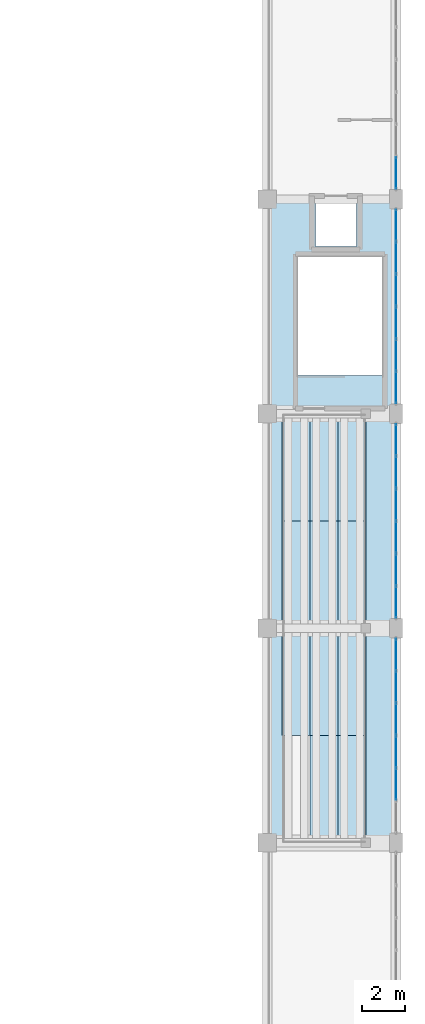
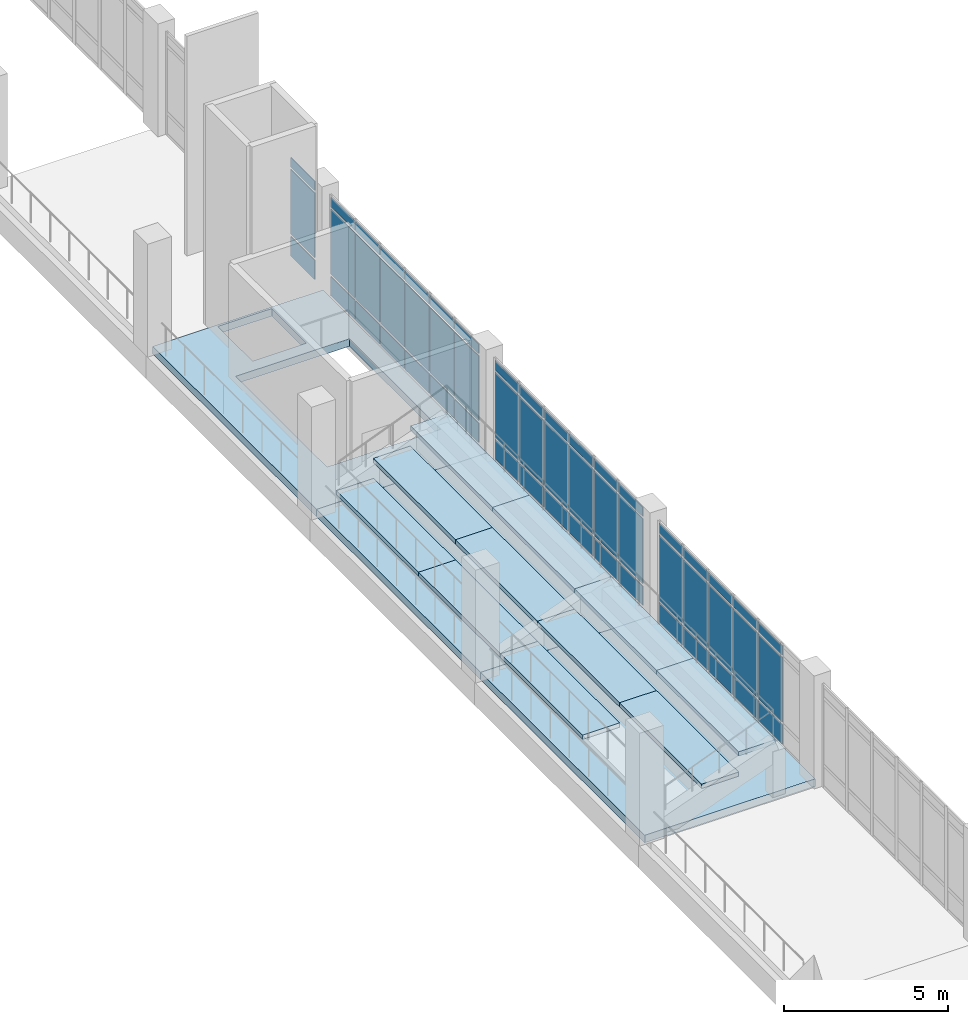
# One storey, part 138 of 161: 54 plates, 14 slabs, 4 elements without a shape of their own.
"""IFC4 building model written with IfcOpenShell, lengths in metres."""

from ifc_helpers import new_model, si_unit, direction, frame, origin, origin_2d, place, context, subcontext, project, spatial, polyline, rectangle, outline, extrude, material, layer, layer_set, type_object, element, aggregate, save


model = new_model("IFC4")

# Units and contexts
model_context = context("Model", 3, precision=1e-05, world=origin(), true_north=direction((0.0, 1.0)))
body_context = subcontext(model_context, "Body", "Model", "MODEL_VIEW")
ifc_project = project(units=[si_unit("LENGTHUNIT", "METRE"), si_unit("AREAUNIT", "SQUARE_METRE"), si_unit("VOLUMEUNIT", "CUBIC_METRE"), si_unit("PLANEANGLEUNIT", "RADIAN"), si_unit("MASSUNIT", "GRAM", prefix="KILO")], contexts=[model_context])

# Site, building, storey
site_placement = place(None, origin())
site = spatial("IfcSite", under=ifc_project, at=site_placement, CompositionType="ELEMENT")
building_placement = place(site_placement, origin())
building = spatial("IfcBuilding", under=site, at=building_placement, Name="Mersad Railyard Sports Hall", CompositionType="ELEMENT")
storey_placement = place(building_placement, frame((0.0, 0.0, 4.800048828125)))
storey = spatial("IfcBuildingStorey", under=building, at=storey_placement, Name="L01", CompositionType="ELEMENT", Elevation=4.800048828125)

# Curtain wall, plates
ifc_material_1 = material(Name="Aluminium 6063-T6", Category="aluminium")
ifc_layer_1 = layer(ifc_material_1, 0.159912109375)
ifc_layer_set_1 = layer_set([ifc_layer_1], Name="Aluminium 6063-T6")
curtain_wall_type = type_object("IfcCurtainWallType", Name="ARC-CW-CW14", PredefinedType="USERDEFINED", material=ifc_layer_set_1)
curtain_wall_1_placement = place(storey_placement, origin())
curtain_wall_1 = element("IfcCurtainWall", 1, at=curtain_wall_1_placement, inside=storey, type_object=curtain_wall_type, Name="Curtain wall CW14-0050", ObjectType="CURTAIN WALL", PredefinedType="USERDEFINED")
ifc_material_2 = material(Name="Solar-control glass", Category="glass")
ifc_layer_2 = layer(ifc_material_2, 0.028076171875)
ifc_layer_set_2 = layer_set([ifc_layer_2], Name="Solar-control glass")
plate_type = type_object("IfcPlateType", Name="ARC-CW-PNL01", PredefinedType="CURTAIN_PANEL", material=ifc_layer_set_2)
plate_1_placement = place(storey_placement, frame((179.0, 42.27490234375, 0.0849609375), z_axis=(0.0, 0.0, 1.0), x_axis=(0.0, -1.0, 0.0)))
plate_1 = element("IfcPlate", 2, at=plate_1_placement, type_object=plate_type, Name="CW14 Glazed panel 1-1", PredefinedType="CURTAIN_PANEL", context=body_context, shape_type="SweptSolid", body=[
    extrude(rectangle(XDim=1.466064453125, YDim=0.028076171875, at=origin_2d()), origin(), (0.0, 0.0, 1.0), 0.719970703125),
])
plate_2_placement = place(storey_placement, frame((179.0, 42.27490234375, 0.89501953125), z_axis=(0.0, 0.0, 1.0), x_axis=(0.0, -1.0, 0.0)))
plate_2 = element("IfcPlate", 3, at=plate_2_placement, type_object=plate_type, Name="CW14 Glazed panel 1-2", PredefinedType="CURTAIN_PANEL", context=body_context, shape_type="SweptSolid", body=[
    extrude(rectangle(XDim=1.466064453125, YDim=0.028076171875, at=origin_2d()), origin(), (0.0, 0.0, 1.0), 2.409912109375),
])
plate_3_placement = place(storey_placement, frame((179.0, 42.27490234375, 3.39501953125), z_axis=(0.0, 0.0, 1.0), x_axis=(0.0, -1.0, 0.0)))
plate_3 = element("IfcPlate", 4, at=plate_3_placement, type_object=plate_type, Name="CW14 Glazed panel 1-3", PredefinedType="CURTAIN_PANEL", context=body_context, shape_type="SweptSolid", body=[
    extrude(rectangle(XDim=1.466064453125, YDim=0.028076171875, at=origin_2d()), origin(), (0.0, 0.0, 1.0), 0.35009765625),
])
plate_4_placement = place(storey_placement, frame((179.0, 40.764892578125, 0.0849609375), z_axis=(0.0, 0.0, 1.0), x_axis=(0.0, -1.0, 0.0)))
plate_4 = element("IfcPlate", 5, at=plate_4_placement, type_object=plate_type, Name="CW14 Glazed panel 2-1", PredefinedType="CURTAIN_PANEL", context=body_context, shape_type="SweptSolid", body=[
    extrude(rectangle(XDim=1.466064453125, YDim=0.028076171875, at=origin_2d()), origin(), (0.0, 0.0, 1.0), 0.719970703125),
])
plate_5_placement = place(storey_placement, frame((179.0, 40.764892578125, 0.89501953125), z_axis=(0.0, 0.0, 1.0), x_axis=(0.0, -1.0, 0.0)))
plate_5 = element("IfcPlate", 6, at=plate_5_placement, type_object=plate_type, Name="CW14 Glazed panel 2-2", PredefinedType="CURTAIN_PANEL", context=body_context, shape_type="SweptSolid", body=[
    extrude(rectangle(XDim=1.466064453125, YDim=0.028076171875, at=origin_2d()), origin(), (0.0, 0.0, 1.0), 2.409912109375),
])
plate_6_placement = place(storey_placement, frame((179.0, 40.764892578125, 3.39501953125), z_axis=(0.0, 0.0, 1.0), x_axis=(0.0, -1.0, 0.0)))
plate_6 = element("IfcPlate", 7, at=plate_6_placement, type_object=plate_type, Name="CW14 Glazed panel 2-3", PredefinedType="CURTAIN_PANEL", context=body_context, shape_type="SweptSolid", body=[
    extrude(rectangle(XDim=1.466064453125, YDim=0.028076171875, at=origin_2d()), origin(), (0.0, 0.0, 1.0), 0.35009765625),
])
plate_7_placement = place(storey_placement, frame((179.0, 39.2548828125, 0.0849609375), z_axis=(0.0, 0.0, 1.0), x_axis=(0.0, -1.0, 0.0)))
plate_7 = element("IfcPlate", 8, at=plate_7_placement, type_object=plate_type, Name="CW14 Glazed panel 3-1", PredefinedType="CURTAIN_PANEL", context=body_context, shape_type="SweptSolid", body=[
    extrude(rectangle(XDim=1.466064453125, YDim=0.028076171875, at=origin_2d()), origin(), (0.0, 0.0, 1.0), 0.719970703125),
])
plate_8_placement = place(storey_placement, frame((179.0, 39.2548828125, 0.89501953125), z_axis=(0.0, 0.0, 1.0), x_axis=(0.0, -1.0, 0.0)))
plate_8 = element("IfcPlate", 9, at=plate_8_placement, type_object=plate_type, Name="CW14 Glazed panel 3-2", PredefinedType="CURTAIN_PANEL", context=body_context, shape_type="SweptSolid", body=[
    extrude(rectangle(XDim=1.466064453125, YDim=0.028076171875, at=origin_2d()), origin(), (0.0, 0.0, 1.0), 2.409912109375),
])
plate_9_placement = place(storey_placement, frame((179.0, 39.2548828125, 3.39501953125), z_axis=(0.0, 0.0, 1.0), x_axis=(0.0, -1.0, 0.0)))
plate_9 = element("IfcPlate", 10, at=plate_9_placement, type_object=plate_type, Name="CW14 Glazed panel 3-3", PredefinedType="CURTAIN_PANEL", context=body_context, shape_type="SweptSolid", body=[
    extrude(rectangle(XDim=1.466064453125, YDim=0.028076171875, at=origin_2d()), origin(), (0.0, 0.0, 1.0), 0.35009765625),
])
plate_10_placement = place(storey_placement, frame((179.0, 37.7451171875, 0.0849609375), z_axis=(0.0, 0.0, 1.0), x_axis=(0.0, -1.0, 0.0)))
plate_10 = element("IfcPlate", 11, at=plate_10_placement, type_object=plate_type, Name="CW14 Glazed panel 4-1", PredefinedType="CURTAIN_PANEL", context=body_context, shape_type="SweptSolid", body=[
    extrude(rectangle(XDim=1.466064453125, YDim=0.028076171875, at=origin_2d()), origin(), (0.0, 0.0, 1.0), 0.719970703125),
])
plate_11_placement = place(storey_placement, frame((179.0, 37.7451171875, 0.89501953125), z_axis=(0.0, 0.0, 1.0), x_axis=(0.0, -1.0, 0.0)))
plate_11 = element("IfcPlate", 12, at=plate_11_placement, type_object=plate_type, Name="CW14 Glazed panel 4-2", PredefinedType="CURTAIN_PANEL", context=body_context, shape_type="SweptSolid", body=[
    extrude(rectangle(XDim=1.466064453125, YDim=0.028076171875, at=origin_2d()), origin(), (0.0, 0.0, 1.0), 2.409912109375),
])
plate_12_placement = place(storey_placement, frame((179.0, 37.7451171875, 3.39501953125), z_axis=(0.0, 0.0, 1.0), x_axis=(0.0, -1.0, 0.0)))
plate_12 = element("IfcPlate", 13, at=plate_12_placement, type_object=plate_type, Name="CW14 Glazed panel 4-3", PredefinedType="CURTAIN_PANEL", context=body_context, shape_type="SweptSolid", body=[
    extrude(rectangle(XDim=1.466064453125, YDim=0.028076171875, at=origin_2d()), origin(), (0.0, 0.0, 1.0), 0.35009765625),
])
plate_13_placement = place(storey_placement, frame((179.0, 36.235107421875, 0.0849609375), z_axis=(0.0, 0.0, 1.0), x_axis=(0.0, -1.0, 0.0)))
plate_13 = element("IfcPlate", 14, at=plate_13_placement, type_object=plate_type, Name="CW14 Glazed panel 5-1", PredefinedType="CURTAIN_PANEL", context=body_context, shape_type="SweptSolid", body=[
    extrude(rectangle(XDim=1.466064453125, YDim=0.028076171875, at=origin_2d()), origin(), (0.0, 0.0, 1.0), 0.719970703125),
])
plate_14_placement = place(storey_placement, frame((179.0, 36.235107421875, 0.89501953125), z_axis=(0.0, 0.0, 1.0), x_axis=(0.0, -1.0, 0.0)))
plate_14 = element("IfcPlate", 15, at=plate_14_placement, type_object=plate_type, Name="CW14 Glazed panel 5-2", PredefinedType="CURTAIN_PANEL", context=body_context, shape_type="SweptSolid", body=[
    extrude(rectangle(XDim=1.466064453125, YDim=0.028076171875, at=origin_2d()), origin(), (0.0, 0.0, 1.0), 2.409912109375),
])
plate_15_placement = place(storey_placement, frame((179.0, 36.235107421875, 3.39501953125), z_axis=(0.0, 0.0, 1.0), x_axis=(0.0, -1.0, 0.0)))
plate_15 = element("IfcPlate", 16, at=plate_15_placement, type_object=plate_type, Name="CW14 Glazed panel 5-3", PredefinedType="CURTAIN_PANEL", context=body_context, shape_type="SweptSolid", body=[
    extrude(rectangle(XDim=1.466064453125, YDim=0.028076171875, at=origin_2d()), origin(), (0.0, 0.0, 1.0), 0.35009765625),
])
aggregate(curtain_wall_1, [plate_1, plate_2, plate_3, plate_4, plate_5, plate_6, plate_7, plate_8, plate_9, plate_10, plate_11, plate_12, plate_13, plate_14, plate_15])

curtain_wall_2_placement = place(storey_placement, origin())
curtain_wall_2 = element("IfcCurtainWall", 17, at=curtain_wall_2_placement, inside=storey, type_object=curtain_wall_type, Name="Curtain wall CW14-0052", ObjectType="CURTAIN WALL", PredefinedType="USERDEFINED")
plate_16_placement = place(storey_placement, frame((179.0, 52.27490234375, 0.0849609375), z_axis=(0.0, 0.0, 1.0), x_axis=(0.0, -1.0, 0.0)))
plate_16 = element("IfcPlate", 18, at=plate_16_placement, type_object=plate_type, Name="CW14 Glazed panel 1-1", PredefinedType="CURTAIN_PANEL", context=body_context, shape_type="SweptSolid", body=[
    extrude(rectangle(XDim=1.466064453125, YDim=0.028076171875, at=origin_2d()), origin(), (0.0, 0.0, 1.0), 0.719970703125),
])
plate_17_placement = place(storey_placement, frame((179.0, 52.27490234375, 0.89501953125), z_axis=(0.0, 0.0, 1.0), x_axis=(0.0, -1.0, 0.0)))
plate_17 = element("IfcPlate", 19, at=plate_17_placement, type_object=plate_type, Name="CW14 Glazed panel 1-2", PredefinedType="CURTAIN_PANEL", context=body_context, shape_type="SweptSolid", body=[
    extrude(rectangle(XDim=1.466064453125, YDim=0.028076171875, at=origin_2d()), origin(), (0.0, 0.0, 1.0), 2.409912109375),
])
plate_18_placement = place(storey_placement, frame((179.0, 52.27490234375, 3.39501953125), z_axis=(0.0, 0.0, 1.0), x_axis=(0.0, -1.0, 0.0)))
plate_18 = element("IfcPlate", 20, at=plate_18_placement, type_object=plate_type, Name="CW14 Glazed panel 1-3", PredefinedType="CURTAIN_PANEL", context=body_context, shape_type="SweptSolid", body=[
    extrude(rectangle(XDim=1.466064453125, YDim=0.028076171875, at=origin_2d()), origin(), (0.0, 0.0, 1.0), 0.35009765625),
])
plate_19_placement = place(storey_placement, frame((179.0, 50.764892578125, 0.0849609375), z_axis=(0.0, 0.0, 1.0), x_axis=(0.0, -1.0, 0.0)))
plate_19 = element("IfcPlate", 21, at=plate_19_placement, type_object=plate_type, Name="CW14 Glazed panel 2-1", PredefinedType="CURTAIN_PANEL", context=body_context, shape_type="SweptSolid", body=[
    extrude(rectangle(XDim=1.466064453125, YDim=0.028076171875, at=origin_2d()), origin(), (0.0, 0.0, 1.0), 0.719970703125),
])
plate_20_placement = place(storey_placement, frame((179.0, 50.764892578125, 0.89501953125), z_axis=(0.0, 0.0, 1.0), x_axis=(0.0, -1.0, 0.0)))
plate_20 = element("IfcPlate", 22, at=plate_20_placement, type_object=plate_type, Name="CW14 Glazed panel 2-2", PredefinedType="CURTAIN_PANEL", context=body_context, shape_type="SweptSolid", body=[
    extrude(rectangle(XDim=1.466064453125, YDim=0.028076171875, at=origin_2d()), origin(), (0.0, 0.0, 1.0), 2.409912109375),
])
plate_21_placement = place(storey_placement, frame((179.0, 50.764892578125, 3.39501953125), z_axis=(0.0, 0.0, 1.0), x_axis=(0.0, -1.0, 0.0)))
plate_21 = element("IfcPlate", 23, at=plate_21_placement, type_object=plate_type, Name="CW14 Glazed panel 2-3", PredefinedType="CURTAIN_PANEL", context=body_context, shape_type="SweptSolid", body=[
    extrude(rectangle(XDim=1.466064453125, YDim=0.028076171875, at=origin_2d()), origin(), (0.0, 0.0, 1.0), 0.35009765625),
])
plate_22_placement = place(storey_placement, frame((179.0, 49.2548828125, 0.0849609375), z_axis=(0.0, 0.0, 1.0), x_axis=(0.0, -1.0, 0.0)))
plate_22 = element("IfcPlate", 24, at=plate_22_placement, type_object=plate_type, Name="CW14 Glazed panel 3-1", PredefinedType="CURTAIN_PANEL", context=body_context, shape_type="SweptSolid", body=[
    extrude(rectangle(XDim=1.466064453125, YDim=0.028076171875, at=origin_2d()), origin(), (0.0, 0.0, 1.0), 0.719970703125),
])
plate_23_placement = place(storey_placement, frame((179.0, 49.2548828125, 0.89501953125), z_axis=(0.0, 0.0, 1.0), x_axis=(0.0, -1.0, 0.0)))
plate_23 = element("IfcPlate", 25, at=plate_23_placement, type_object=plate_type, Name="CW14 Glazed panel 3-2", PredefinedType="CURTAIN_PANEL", context=body_context, shape_type="SweptSolid", body=[
    extrude(rectangle(XDim=1.466064453125, YDim=0.028076171875, at=origin_2d()), origin(), (0.0, 0.0, 1.0), 2.409912109375),
])
plate_24_placement = place(storey_placement, frame((179.0, 49.2548828125, 3.39501953125), z_axis=(0.0, 0.0, 1.0), x_axis=(0.0, -1.0, 0.0)))
plate_24 = element("IfcPlate", 26, at=plate_24_placement, type_object=plate_type, Name="CW14 Glazed panel 3-3", PredefinedType="CURTAIN_PANEL", context=body_context, shape_type="SweptSolid", body=[
    extrude(rectangle(XDim=1.466064453125, YDim=0.028076171875, at=origin_2d()), origin(), (0.0, 0.0, 1.0), 0.35009765625),
])
plate_25_placement = place(storey_placement, frame((179.0, 47.7451171875, 0.0849609375), z_axis=(0.0, 0.0, 1.0), x_axis=(0.0, -1.0, 0.0)))
plate_25 = element("IfcPlate", 27, at=plate_25_placement, type_object=plate_type, Name="CW14 Glazed panel 4-1", PredefinedType="CURTAIN_PANEL", context=body_context, shape_type="SweptSolid", body=[
    extrude(rectangle(XDim=1.466064453125, YDim=0.028076171875, at=origin_2d()), origin(), (0.0, 0.0, 1.0), 0.719970703125),
])
plate_26_placement = place(storey_placement, frame((179.0, 47.7451171875, 0.89501953125), z_axis=(0.0, 0.0, 1.0), x_axis=(0.0, -1.0, 0.0)))
plate_26 = element("IfcPlate", 28, at=plate_26_placement, type_object=plate_type, Name="CW14 Glazed panel 4-2", PredefinedType="CURTAIN_PANEL", context=body_context, shape_type="SweptSolid", body=[
    extrude(rectangle(XDim=1.466064453125, YDim=0.028076171875, at=origin_2d()), origin(), (0.0, 0.0, 1.0), 2.409912109375),
])
plate_27_placement = place(storey_placement, frame((179.0, 47.7451171875, 3.39501953125), z_axis=(0.0, 0.0, 1.0), x_axis=(0.0, -1.0, 0.0)))
plate_27 = element("IfcPlate", 29, at=plate_27_placement, type_object=plate_type, Name="CW14 Glazed panel 4-3", PredefinedType="CURTAIN_PANEL", context=body_context, shape_type="SweptSolid", body=[
    extrude(rectangle(XDim=1.466064453125, YDim=0.028076171875, at=origin_2d()), origin(), (0.0, 0.0, 1.0), 0.35009765625),
])
plate_28_placement = place(storey_placement, frame((179.0, 46.235107421875, 0.0849609375), z_axis=(0.0, 0.0, 1.0), x_axis=(0.0, -1.0, 0.0)))
plate_28 = element("IfcPlate", 30, at=plate_28_placement, type_object=plate_type, Name="CW14 Glazed panel 5-1", PredefinedType="CURTAIN_PANEL", context=body_context, shape_type="SweptSolid", body=[
    extrude(rectangle(XDim=1.466064453125, YDim=0.028076171875, at=origin_2d()), origin(), (0.0, 0.0, 1.0), 0.719970703125),
])
plate_29_placement = place(storey_placement, frame((179.0, 46.235107421875, 0.89501953125), z_axis=(0.0, 0.0, 1.0), x_axis=(0.0, -1.0, 0.0)))
plate_29 = element("IfcPlate", 31, at=plate_29_placement, type_object=plate_type, Name="CW14 Glazed panel 5-2", PredefinedType="CURTAIN_PANEL", context=body_context, shape_type="SweptSolid", body=[
    extrude(rectangle(XDim=1.466064453125, YDim=0.028076171875, at=origin_2d()), origin(), (0.0, 0.0, 1.0), 2.409912109375),
])
plate_30_placement = place(storey_placement, frame((179.0, 46.235107421875, 3.39501953125), z_axis=(0.0, 0.0, 1.0), x_axis=(0.0, -1.0, 0.0)))
plate_30 = element("IfcPlate", 32, at=plate_30_placement, type_object=plate_type, Name="CW14 Glazed panel 5-3", PredefinedType="CURTAIN_PANEL", context=body_context, shape_type="SweptSolid", body=[
    extrude(rectangle(XDim=1.466064453125, YDim=0.028076171875, at=origin_2d()), origin(), (0.0, 0.0, 1.0), 0.35009765625),
])
plate_31_placement = place(storey_placement, frame((179.0, 44.72509765625, 0.0849609375), z_axis=(0.0, 0.0, 1.0), x_axis=(0.0, -1.0, 0.0)))
plate_31 = element("IfcPlate", 33, at=plate_31_placement, type_object=plate_type, Name="CW14 Glazed panel 6-1", PredefinedType="CURTAIN_PANEL", context=body_context, shape_type="SweptSolid", body=[
    extrude(rectangle(XDim=1.466064453125, YDim=0.028076171875, at=origin_2d()), origin(), (0.0, 0.0, 1.0), 0.719970703125),
])
plate_32_placement = place(storey_placement, frame((179.0, 44.72509765625, 0.89501953125), z_axis=(0.0, 0.0, 1.0), x_axis=(0.0, -1.0, 0.0)))
plate_32 = element("IfcPlate", 34, at=plate_32_placement, type_object=plate_type, Name="CW14 Glazed panel 6-2", PredefinedType="CURTAIN_PANEL", context=body_context, shape_type="SweptSolid", body=[
    extrude(rectangle(XDim=1.466064453125, YDim=0.028076171875, at=origin_2d()), origin(), (0.0, 0.0, 1.0), 2.409912109375),
])
plate_33_placement = place(storey_placement, frame((179.0, 44.72509765625, 3.39501953125), z_axis=(0.0, 0.0, 1.0), x_axis=(0.0, -1.0, 0.0)))
plate_33 = element("IfcPlate", 35, at=plate_33_placement, type_object=plate_type, Name="CW14 Glazed panel 6-3", PredefinedType="CURTAIN_PANEL", context=body_context, shape_type="SweptSolid", body=[
    extrude(rectangle(XDim=1.466064453125, YDim=0.028076171875, at=origin_2d()), origin(), (0.0, 0.0, 1.0), 0.35009765625),
])
aggregate(curtain_wall_2, [plate_16, plate_17, plate_18, plate_19, plate_20, plate_21, plate_22, plate_23, plate_24, plate_25, plate_26, plate_27, plate_28, plate_29, plate_30, plate_31, plate_32, plate_33])

curtain_wall_3_placement = place(storey_placement, origin())
curtain_wall_3 = element("IfcCurtainWall", 36, at=curtain_wall_3_placement, inside=storey, type_object=curtain_wall_type, Name="Curtain wall CW14-0054", ObjectType="CURTAIN WALL", PredefinedType="USERDEFINED")
plate_34_placement = place(storey_placement, frame((179.0, 62.27490234375, 0.0849609375), z_axis=(0.0, 0.0, 1.0), x_axis=(0.0, -1.0, 0.0)))
plate_34 = element("IfcPlate", 37, at=plate_34_placement, type_object=plate_type, Name="CW14 Glazed panel 1-1", PredefinedType="CURTAIN_PANEL", context=body_context, shape_type="SweptSolid", body=[
    extrude(rectangle(XDim=1.466064453125, YDim=0.028076171875, at=origin_2d()), origin(), (0.0, 0.0, 1.0), 0.719970703125),
])
plate_35_placement = place(storey_placement, frame((179.0, 62.27490234375, 0.89501953125), z_axis=(0.0, 0.0, 1.0), x_axis=(0.0, -1.0, 0.0)))
plate_35 = element("IfcPlate", 38, at=plate_35_placement, type_object=plate_type, Name="CW14 Glazed panel 1-2", PredefinedType="CURTAIN_PANEL", context=body_context, shape_type="SweptSolid", body=[
    extrude(rectangle(XDim=1.466064453125, YDim=0.028076171875, at=origin_2d()), origin(), (0.0, 0.0, 1.0), 2.409912109375),
])
plate_36_placement = place(storey_placement, frame((179.0, 62.27490234375, 3.39501953125), z_axis=(0.0, 0.0, 1.0), x_axis=(0.0, -1.0, 0.0)))
plate_36 = element("IfcPlate", 39, at=plate_36_placement, type_object=plate_type, Name="CW14 Glazed panel 1-3", PredefinedType="CURTAIN_PANEL", context=body_context, shape_type="SweptSolid", body=[
    extrude(rectangle(XDim=1.466064453125, YDim=0.028076171875, at=origin_2d()), origin(), (0.0, 0.0, 1.0), 0.35009765625),
])
plate_37_placement = place(storey_placement, frame((179.0, 60.764892578125, 0.0849609375), z_axis=(0.0, 0.0, 1.0), x_axis=(0.0, -1.0, 0.0)))
plate_37 = element("IfcPlate", 40, at=plate_37_placement, type_object=plate_type, Name="CW14 Glazed panel 2-1", PredefinedType="CURTAIN_PANEL", context=body_context, shape_type="SweptSolid", body=[
    extrude(rectangle(XDim=1.466064453125, YDim=0.028076171875, at=origin_2d()), origin(), (0.0, 0.0, 1.0), 0.719970703125),
])
plate_38_placement = place(storey_placement, frame((179.0, 60.764892578125, 0.89501953125), z_axis=(0.0, 0.0, 1.0), x_axis=(0.0, -1.0, 0.0)))
plate_38 = element("IfcPlate", 41, at=plate_38_placement, type_object=plate_type, Name="CW14 Glazed panel 2-2", PredefinedType="CURTAIN_PANEL", context=body_context, shape_type="SweptSolid", body=[
    extrude(rectangle(XDim=1.466064453125, YDim=0.028076171875, at=origin_2d()), origin(), (0.0, 0.0, 1.0), 2.409912109375),
])
plate_39_placement = place(storey_placement, frame((179.0, 60.764892578125, 3.39501953125), z_axis=(0.0, 0.0, 1.0), x_axis=(0.0, -1.0, 0.0)))
plate_39 = element("IfcPlate", 42, at=plate_39_placement, type_object=plate_type, Name="CW14 Glazed panel 2-3", PredefinedType="CURTAIN_PANEL", context=body_context, shape_type="SweptSolid", body=[
    extrude(rectangle(XDim=1.466064453125, YDim=0.028076171875, at=origin_2d()), origin(), (0.0, 0.0, 1.0), 0.35009765625),
])
plate_40_placement = place(storey_placement, frame((179.0, 59.2548828125, 0.0849609375), z_axis=(0.0, 0.0, 1.0), x_axis=(0.0, -1.0, 0.0)))
plate_40 = element("IfcPlate", 43, at=plate_40_placement, type_object=plate_type, Name="CW14 Glazed panel 3-1", PredefinedType="CURTAIN_PANEL", context=body_context, shape_type="SweptSolid", body=[
    extrude(rectangle(XDim=1.466064453125, YDim=0.028076171875, at=origin_2d()), origin(), (0.0, 0.0, 1.0), 0.719970703125),
])
plate_41_placement = place(storey_placement, frame((179.0, 59.2548828125, 0.89501953125), z_axis=(0.0, 0.0, 1.0), x_axis=(0.0, -1.0, 0.0)))
plate_41 = element("IfcPlate", 44, at=plate_41_placement, type_object=plate_type, Name="CW14 Glazed panel 3-2", PredefinedType="CURTAIN_PANEL", context=body_context, shape_type="SweptSolid", body=[
    extrude(rectangle(XDim=1.466064453125, YDim=0.028076171875, at=origin_2d()), origin(), (0.0, 0.0, 1.0), 2.409912109375),
])
plate_42_placement = place(storey_placement, frame((179.0, 59.2548828125, 3.39501953125), z_axis=(0.0, 0.0, 1.0), x_axis=(0.0, -1.0, 0.0)))
plate_42 = element("IfcPlate", 45, at=plate_42_placement, type_object=plate_type, Name="CW14 Glazed panel 3-3", PredefinedType="CURTAIN_PANEL", context=body_context, shape_type="SweptSolid", body=[
    extrude(rectangle(XDim=1.466064453125, YDim=0.028076171875, at=origin_2d()), origin(), (0.0, 0.0, 1.0), 0.35009765625),
])
plate_43_placement = place(storey_placement, frame((179.0, 57.7451171875, 0.0849609375), z_axis=(0.0, 0.0, 1.0), x_axis=(0.0, -1.0, 0.0)))
plate_43 = element("IfcPlate", 46, at=plate_43_placement, type_object=plate_type, Name="CW14 Glazed panel 4-1", PredefinedType="CURTAIN_PANEL", context=body_context, shape_type="SweptSolid", body=[
    extrude(rectangle(XDim=1.466064453125, YDim=0.028076171875, at=origin_2d()), origin(), (0.0, 0.0, 1.0), 0.719970703125),
])
plate_44_placement = place(storey_placement, frame((179.0, 57.7451171875, 0.89501953125), z_axis=(0.0, 0.0, 1.0), x_axis=(0.0, -1.0, 0.0)))
plate_44 = element("IfcPlate", 47, at=plate_44_placement, type_object=plate_type, Name="CW14 Glazed panel 4-2", PredefinedType="CURTAIN_PANEL", context=body_context, shape_type="SweptSolid", body=[
    extrude(rectangle(XDim=1.466064453125, YDim=0.028076171875, at=origin_2d()), origin(), (0.0, 0.0, 1.0), 2.409912109375),
])
plate_45_placement = place(storey_placement, frame((179.0, 57.7451171875, 3.39501953125), z_axis=(0.0, 0.0, 1.0), x_axis=(0.0, -1.0, 0.0)))
plate_45 = element("IfcPlate", 48, at=plate_45_placement, type_object=plate_type, Name="CW14 Glazed panel 4-3", PredefinedType="CURTAIN_PANEL", context=body_context, shape_type="SweptSolid", body=[
    extrude(rectangle(XDim=1.466064453125, YDim=0.028076171875, at=origin_2d()), origin(), (0.0, 0.0, 1.0), 0.35009765625),
])
plate_46_placement = place(storey_placement, frame((179.0, 56.235107421875, 0.0849609375), z_axis=(0.0, 0.0, 1.0), x_axis=(0.0, -1.0, 0.0)))
plate_46 = element("IfcPlate", 49, at=plate_46_placement, type_object=plate_type, Name="CW14 Glazed panel 5-1", PredefinedType="CURTAIN_PANEL", context=body_context, shape_type="SweptSolid", body=[
    extrude(rectangle(XDim=1.466064453125, YDim=0.028076171875, at=origin_2d()), origin(), (0.0, 0.0, 1.0), 0.719970703125),
])
plate_47_placement = place(storey_placement, frame((179.0, 56.235107421875, 0.89501953125), z_axis=(0.0, 0.0, 1.0), x_axis=(0.0, -1.0, 0.0)))
plate_47 = element("IfcPlate", 50, at=plate_47_placement, type_object=plate_type, Name="CW14 Glazed panel 5-2", PredefinedType="CURTAIN_PANEL", context=body_context, shape_type="SweptSolid", body=[
    extrude(rectangle(XDim=1.466064453125, YDim=0.028076171875, at=origin_2d()), origin(), (0.0, 0.0, 1.0), 2.409912109375),
])
plate_48_placement = place(storey_placement, frame((179.0, 56.235107421875, 3.39501953125), z_axis=(0.0, 0.0, 1.0), x_axis=(0.0, -1.0, 0.0)))
plate_48 = element("IfcPlate", 51, at=plate_48_placement, type_object=plate_type, Name="CW14 Glazed panel 5-3", PredefinedType="CURTAIN_PANEL", context=body_context, shape_type="SweptSolid", body=[
    extrude(rectangle(XDim=1.466064453125, YDim=0.028076171875, at=origin_2d()), origin(), (0.0, 0.0, 1.0), 0.35009765625),
])
plate_49_placement = place(storey_placement, frame((179.0, 54.72509765625, 0.0849609375), z_axis=(0.0, 0.0, 1.0), x_axis=(0.0, -1.0, 0.0)))
plate_49 = element("IfcPlate", 52, at=plate_49_placement, type_object=plate_type, Name="CW14 Glazed panel 6-1", PredefinedType="CURTAIN_PANEL", context=body_context, shape_type="SweptSolid", body=[
    extrude(rectangle(XDim=1.466064453125, YDim=0.028076171875, at=origin_2d()), origin(), (0.0, 0.0, 1.0), 0.719970703125),
])
plate_50_placement = place(storey_placement, frame((179.0, 54.72509765625, 0.89501953125), z_axis=(0.0, 0.0, 1.0), x_axis=(0.0, -1.0, 0.0)))
plate_50 = element("IfcPlate", 53, at=plate_50_placement, type_object=plate_type, Name="CW14 Glazed panel 6-2", PredefinedType="CURTAIN_PANEL", context=body_context, shape_type="SweptSolid", body=[
    extrude(rectangle(XDim=1.466064453125, YDim=0.028076171875, at=origin_2d()), origin(), (0.0, 0.0, 1.0), 2.409912109375),
])
plate_51_placement = place(storey_placement, frame((179.0, 54.72509765625, 3.39501953125), z_axis=(0.0, 0.0, 1.0), x_axis=(0.0, -1.0, 0.0)))
plate_51 = element("IfcPlate", 54, at=plate_51_placement, type_object=plate_type, Name="CW14 Glazed panel 6-3", PredefinedType="CURTAIN_PANEL", context=body_context, shape_type="SweptSolid", body=[
    extrude(rectangle(XDim=1.466064453125, YDim=0.028076171875, at=origin_2d()), origin(), (0.0, 0.0, 1.0), 0.35009765625),
])
aggregate(curtain_wall_3, [plate_34, plate_35, plate_36, plate_37, plate_38, plate_39, plate_40, plate_41, plate_42, plate_43, plate_44, plate_45, plate_46, plate_47, plate_48, plate_49, plate_50, plate_51])

curtain_wall_4_placement = place(storey_placement, origin())
curtain_wall_4 = element("IfcCurtainWall", 55, at=curtain_wall_4_placement, inside=storey, type_object=curtain_wall_type, Name="Curtain wall CW14-0056", ObjectType="CURTAIN WALL", PredefinedType="USERDEFINED")
plate_52_placement = place(storey_placement, frame((179.0, 64.72509765625, 0.0849609375), z_axis=(0.0, 0.0, 1.0), x_axis=(0.0, -1.0, 0.0)))
plate_52 = element("IfcPlate", 56, at=plate_52_placement, type_object=plate_type, Name="CW14 Glazed panel 6-1", PredefinedType="CURTAIN_PANEL", context=body_context, shape_type="SweptSolid", body=[
    extrude(rectangle(XDim=1.466064453125, YDim=0.028076171875, at=origin_2d()), origin(), (0.0, 0.0, 1.0), 0.719970703125),
])
plate_53_placement = place(storey_placement, frame((179.0, 64.72509765625, 0.89501953125), z_axis=(0.0, 0.0, 1.0), x_axis=(0.0, -1.0, 0.0)))
plate_53 = element("IfcPlate", 57, at=plate_53_placement, type_object=plate_type, Name="CW14 Glazed panel 6-2", PredefinedType="CURTAIN_PANEL", context=body_context, shape_type="SweptSolid", body=[
    extrude(rectangle(XDim=1.466064453125, YDim=0.028076171875, at=origin_2d()), origin(), (0.0, 0.0, 1.0), 2.409912109375),
])
plate_54_placement = place(storey_placement, frame((179.0, 64.72509765625, 3.39501953125), z_axis=(0.0, 0.0, 1.0), x_axis=(0.0, -1.0, 0.0)))
plate_54 = element("IfcPlate", 58, at=plate_54_placement, type_object=plate_type, Name="CW14 Glazed panel 6-3", PredefinedType="CURTAIN_PANEL", context=body_context, shape_type="SweptSolid", body=[
    extrude(rectangle(XDim=1.466064453125, YDim=0.028076171875, at=origin_2d()), origin(), (0.0, 0.0, 1.0), 0.35009765625),
])
aggregate(curtain_wall_4, [plate_52, plate_53, plate_54])

# Slabs
ifc_material_3 = material(Name="Concrete C40/50", Category="concrete")
ifc_layer_3 = layer(ifc_material_3, 0.280029296875)
ifc_layer_set_3 = layer_set([ifc_layer_3], Name="Concrete C40/50")
slab_type_1 = type_object("IfcSlabType", Name="STR-SL-FL02", PredefinedType="FLOOR", material=ifc_layer_set_3)
slab_1_placement = place(storey_placement, frame((0.0, 0.0, -0.280029296875)))
element("IfcSlab", 59, at=slab_1_placement, inside=storey, type_object=slab_type_1, Name="Slab SL02-0062", PredefinedType="FLOOR", context=body_context, shape_type="SweptSolid", body=[
    extrude(outline(polyline([(173.0, 33.5), (179.0, 33.5), (179.0, 43.5), (173.0, 43.5), (173.0, 33.5)])), origin(), (0.0, 0.0, 1.0), 0.280029296875),
])
slab_2_placement = place(storey_placement, frame((0.0, 0.0, -0.280029296875)))
element("IfcSlab", 60, at=slab_2_placement, inside=storey, type_object=slab_type_1, Name="Slab SL02-0064", PredefinedType="FLOOR", context=body_context, shape_type="SweptSolid", body=[
    extrude(outline(polyline([(173.0, 43.5), (179.0, 43.5), (179.0, 53.5), (173.0, 53.5), (173.0, 43.5)])), origin(), (0.0, 0.0, 1.0), 0.280029296875),
])
slab_3_placement = place(storey_placement, frame((0.0, 0.0, -0.280029296875)))
element("IfcSlab", 61, at=slab_3_placement, inside=storey, type_object=slab_type_1, Name="Slab SL02-0066", PredefinedType="FLOOR", context=body_context, shape_type="SweptSolid", body=[
    extrude(outline(polyline([(173.0, 53.5), (179.0, 53.5), (179.0, 63.5), (173.0, 63.5), (173.0, 53.5)]), holes=[polyline([(174.39990234375, 55.2900390625), (178.39990234375, 55.2900390625), (178.39990234375, 60.85009765625), (174.39990234375, 60.85009765625), (174.39990234375, 55.2900390625)]), polyline([(175.25, 61.300048828125), (177.14990234375, 61.300048828125), (177.14990234375, 63.419921875), (175.25, 63.419921875), (175.25, 61.300048828125)])]), origin(), (0.0, 0.0, 1.0), 0.280029296875),
])
ifc_material_4 = material(Name="Precast concrete C45/55", Category="concrete")
ifc_layer_4 = layer(ifc_material_4, 0.159912109375)
ifc_layer_set_4 = layer_set([ifc_layer_4], Name="Precast concrete C45/55")
slab_type_2 = type_object("IfcSlabType", Name="STR-SL-ST01", PredefinedType="USERDEFINED", material=ifc_layer_set_4)
slab_4_placement = place(storey_placement, frame((0.0, 0.0, 1.0400390625)))
element("IfcSlab", 62, at=slab_4_placement, inside=storey, type_object=slab_type_2, Name="Stand upper tier east step 5", ObjectType="SEATING TIER", PredefinedType="USERDEFINED", context=body_context, shape_type="SweptSolid", body=[
    extrude(outline(polyline([(175.0, 33.5), (176.300048828125, 33.5), (176.300048828125, 38.5), (175.0, 38.5), (175.0, 33.5)])), origin(), (0.0, 0.0, 1.0), 0.159912109375),
])
slab_5_placement = place(storey_placement, frame((0.0, 0.0, 1.7900390625)))
element("IfcSlab", 63, at=slab_5_placement, inside=storey, type_object=slab_type_2, Name="Stand upper tier east step 6", ObjectType="SEATING TIER", PredefinedType="USERDEFINED", context=body_context, shape_type="SweptSolid", body=[
    extrude(outline(polyline([(176.300048828125, 33.5), (177.60009765625, 33.5), (177.60009765625, 38.5), (176.300048828125, 38.5), (176.300048828125, 33.5)])), origin(), (0.0, 0.0, 1.0), 0.159912109375),
])
slab_6_placement = place(storey_placement, frame((0.0, 0.0, 0.2900390625)))
element("IfcSlab", 64, at=slab_6_placement, inside=storey, type_object=slab_type_2, Name="Stand upper tier east step 10", ObjectType="SEATING TIER", PredefinedType="USERDEFINED", context=body_context, shape_type="SweptSolid", body=[
    extrude(outline(polyline([(173.699951171875, 38.5), (175.0, 38.5), (175.0, 43.5), (173.699951171875, 43.5), (173.699951171875, 38.5)])), origin(), (0.0, 0.0, 1.0), 0.159912109375),
])
slab_7_placement = place(storey_placement, frame((0.0, 0.0, 1.0400390625)))
element("IfcSlab", 65, at=slab_7_placement, inside=storey, type_object=slab_type_2, Name="Stand upper tier east step 11", ObjectType="SEATING TIER", PredefinedType="USERDEFINED", context=body_context, shape_type="SweptSolid", body=[
    extrude(outline(polyline([(175.0, 38.5), (176.300048828125, 38.5), (176.300048828125, 43.5), (175.0, 43.5), (175.0, 38.5)])), origin(), (0.0, 0.0, 1.0), 0.159912109375),
])
slab_8_placement = place(storey_placement, frame((0.0, 0.0, 1.7900390625)))
element("IfcSlab", 66, at=slab_8_placement, inside=storey, type_object=slab_type_2, Name="Stand upper tier east step 12", ObjectType="SEATING TIER", PredefinedType="USERDEFINED", context=body_context, shape_type="SweptSolid", body=[
    extrude(outline(polyline([(176.300048828125, 38.5), (177.60009765625, 38.5), (177.60009765625, 43.5), (176.300048828125, 43.5), (176.300048828125, 38.5)])), origin(), (0.0, 0.0, 1.0), 0.159912109375),
])
slab_9_placement = place(storey_placement, frame((0.0, 0.0, 0.2900390625)))
element("IfcSlab", 67, at=slab_9_placement, inside=storey, type_object=slab_type_2, Name="Stand upper tier east step 16", ObjectType="SEATING TIER", PredefinedType="USERDEFINED", context=body_context, shape_type="SweptSolid", body=[
    extrude(outline(polyline([(173.699951171875, 43.5), (175.0, 43.5), (175.0, 48.5), (173.699951171875, 48.5), (173.699951171875, 43.5)])), origin(), (0.0, 0.0, 1.0), 0.159912109375),
])
slab_10_placement = place(storey_placement, frame((0.0, 0.0, 1.0400390625)))
element("IfcSlab", 68, at=slab_10_placement, inside=storey, type_object=slab_type_2, Name="Stand upper tier east step 17", ObjectType="SEATING TIER", PredefinedType="USERDEFINED", context=body_context, shape_type="SweptSolid", body=[
    extrude(outline(polyline([(175.0, 43.5), (176.300048828125, 43.5), (176.300048828125, 48.5), (175.0, 48.5), (175.0, 43.5)])), origin(), (0.0, 0.0, 1.0), 0.159912109375),
])
slab_11_placement = place(storey_placement, frame((0.0, 0.0, 1.7900390625)))
element("IfcSlab", 69, at=slab_11_placement, inside=storey, type_object=slab_type_2, Name="Stand upper tier east step 18", ObjectType="SEATING TIER", PredefinedType="USERDEFINED", context=body_context, shape_type="SweptSolid", body=[
    extrude(outline(polyline([(176.300048828125, 43.5), (177.60009765625, 43.5), (177.60009765625, 48.5), (176.300048828125, 48.5), (176.300048828125, 43.5)])), origin(), (0.0, 0.0, 1.0), 0.159912109375),
])
slab_12_placement = place(storey_placement, frame((0.0, 0.0, 0.2900390625)))
element("IfcSlab", 70, at=slab_12_placement, inside=storey, type_object=slab_type_2, Name="Stand upper tier east step 22", ObjectType="SEATING TIER", PredefinedType="USERDEFINED", context=body_context, shape_type="SweptSolid", body=[
    extrude(outline(polyline([(173.699951171875, 48.5), (175.0, 48.5), (175.0, 53.5), (173.699951171875, 53.5), (173.699951171875, 48.5)])), origin(), (0.0, 0.0, 1.0), 0.159912109375),
])
slab_13_placement = place(storey_placement, frame((0.0, 0.0, 1.0400390625)))
element("IfcSlab", 71, at=slab_13_placement, inside=storey, type_object=slab_type_2, Name="Stand upper tier east step 23", ObjectType="SEATING TIER", PredefinedType="USERDEFINED", context=body_context, shape_type="SweptSolid", body=[
    extrude(outline(polyline([(175.0, 48.5), (176.300048828125, 48.5), (176.300048828125, 53.5), (175.0, 53.5), (175.0, 48.5)])), origin(), (0.0, 0.0, 1.0), 0.159912109375),
])
slab_14_placement = place(storey_placement, frame((0.0, 0.0, 1.7900390625)))
element("IfcSlab", 72, at=slab_14_placement, inside=storey, type_object=slab_type_2, Name="Stand upper tier east step 24", ObjectType="SEATING TIER", PredefinedType="USERDEFINED", context=body_context, shape_type="SweptSolid", body=[
    extrude(outline(polyline([(176.300048828125, 48.5), (177.60009765625, 48.5), (177.60009765625, 53.5), (176.300048828125, 53.5), (176.300048828125, 48.5)])), origin(), (0.0, 0.0, 1.0), 0.159912109375),
])

save(model, "model.ifc")
